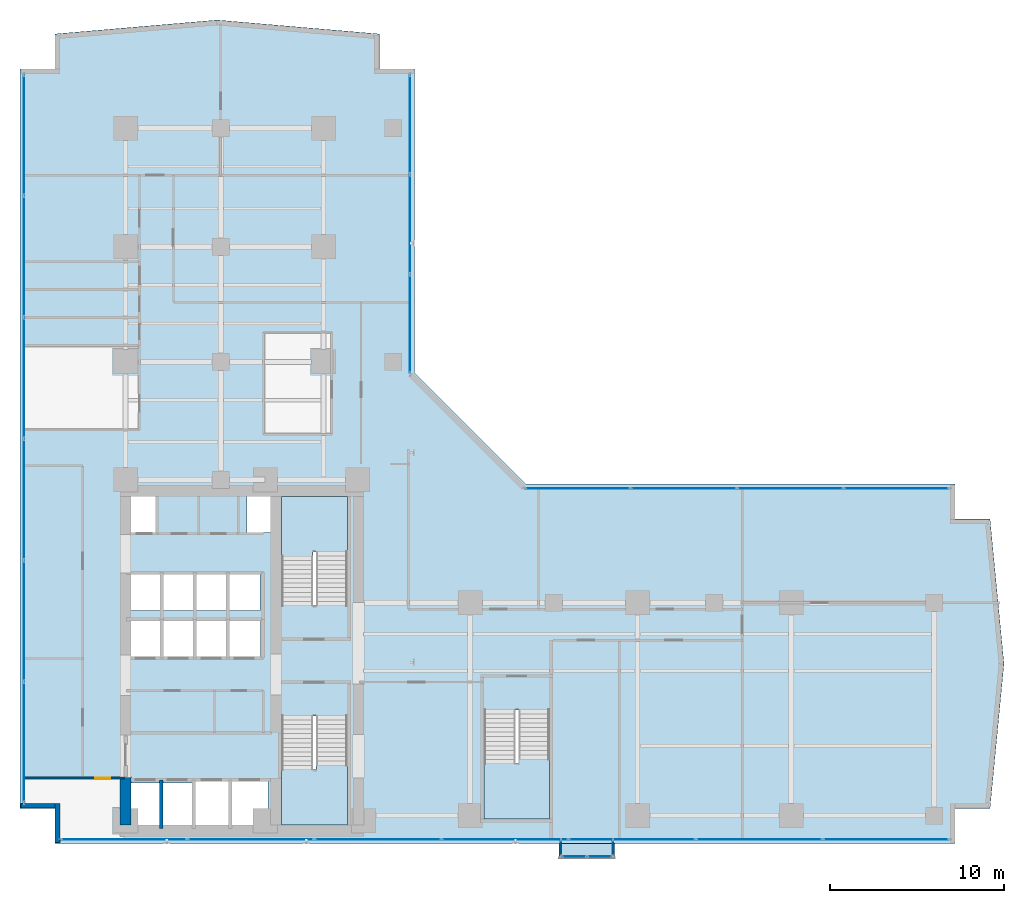
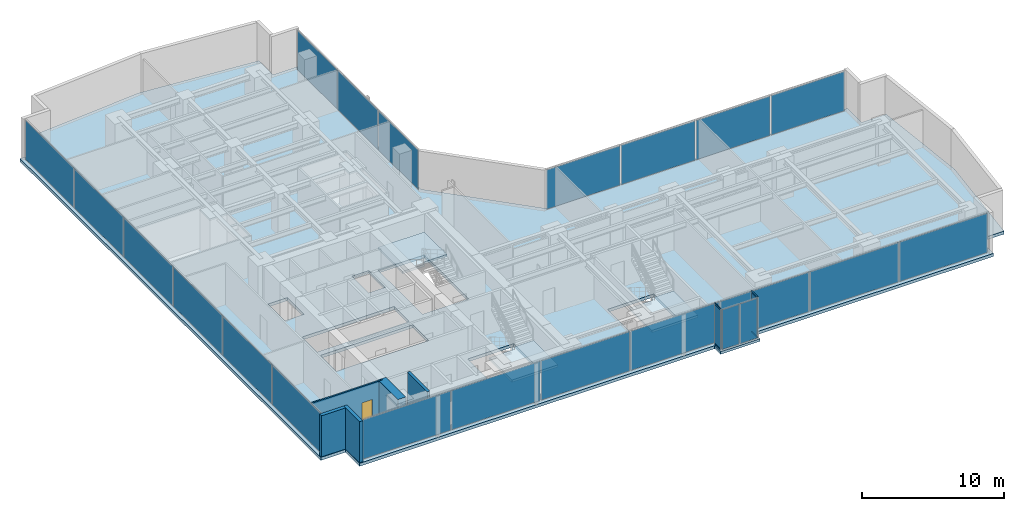
# One storey, part 20 of 29: 24 plates, 5 slabs, 5 walls, 4 members, 1 door, 1 opening, 10 elements without a shape of their own.
"""IFC4 building model written with IfcOpenShell, lengths in metres."""

from ifc_helpers import new_model, si_unit, direction, frame, frame_2d, origin, origin_with_axes, origin_2d, place, context, subcontext, project, spatial, polyline, rectangle, hollow_rectangle, outline, extrude, source, transform, mapped, material, layer, layer_set, material_profile, profile_set, type_object, element, fill, aggregate, save


model = new_model("IFC4")

# Units and contexts
model_context = context("Model", 3, precision=1e-05, world=origin(), true_north=direction((0.0, 1.0)))
body_context = subcontext(model_context, "Body", "Model", "MODEL_VIEW")
ifc_project = project(units=[si_unit("LENGTHUNIT", "METRE"), si_unit("AREAUNIT", "SQUARE_METRE"), si_unit("VOLUMEUNIT", "CUBIC_METRE"), si_unit("PLANEANGLEUNIT", "RADIAN"), si_unit("MASSUNIT", "GRAM", prefix="KILO")], contexts=[model_context])

# Site, building, storey
site_placement = place(None, origin())
site = spatial("IfcSite", under=ifc_project, at=site_placement, CompositionType="ELEMENT")
building_placement = place(site_placement, origin())
building = spatial("IfcBuilding", under=site, at=building_placement, Name="Kolvaren Waterfront Exchange", CompositionType="ELEMENT")
storey_placement = place(building_placement, frame((0.0, 0.0, 129.699951171875)))
storey = spatial("IfcBuildingStorey", under=building, at=storey_placement, Name="L33", CompositionType="ELEMENT", Elevation=129.699951171875)

# Curtain wall, members
ifc_material_1 = material(Name="Anodised bronze aluminium 6063-T6", Category="aluminium")
ifc_layer_1 = layer(ifc_material_1, 0.219970703125, Name="Anodised bronze aluminium 6063-T6")
ifc_layer_set_1 = layer_set([ifc_layer_1], Name="Anodised bronze aluminium 6063-T6")
curtain_wall_type_1 = type_object("IfcCurtainWallType", Name="ARC-CW-SYS3", PredefinedType="USERDEFINED", material=ifc_layer_set_1)
curtain_wall_1_placement = place(storey_placement, origin())
curtain_wall_1 = element("IfcCurtainWall", 1, at=curtain_wall_1_placement, inside=storey, type_object=curtain_wall_type_1, Name="L33 stick curtain wall CW3 (CW-L33-BOX-W)", ObjectType="STICK CURTAIN WALL", PredefinedType="USERDEFINED")
ifc_material_profile = material_profile(ifc_material_1, hollow_rectangle(XDim=0.06494140625, YDim=0.1298828125, WallThickness=0.00390625, at=origin_2d()), Name="ALU-TRN-130x65x4")
ifc_profile_set = profile_set([ifc_material_profile], Name="Anodised bronze aluminium 6063-T6")
member_type = type_object("IfcMemberType", Name="ARC-CWT-130", PredefinedType="USERDEFINED", material=ifc_profile_set)
shared_shape_1 = source(origin_with_axes(), body_context, "Body", "SweptSolid", [
    extrude(hollow_rectangle(XDim=0.06494140625, YDim=0.1298828125, WallThickness=0.00390625, at=origin_2d()), origin(), (0.0, 0.0, 1.0), 0.829833984375),
])
member_1_placement = place(storey_placement, frame((32.409912109375, 3.764892578125, 0.032470703125), z_axis=(0.0, -1.0, 0.0), x_axis=(1.0, 0.0, 0.0)))
member_1 = element("IfcMember", 2, at=member_1_placement, type_object=member_type, Name="CW3 transom 1.1", ObjectType="TRANSOM", PredefinedType="USERDEFINED", context=body_context, shape_type="MappedRepresentation", body=[
    mapped(shared_shape_1, transform((0.0, 0.0, 0.0), x_axis=(1.0, 0.0, 0.0), y_axis=(0.0, 1.0, 0.0), z_axis=(0.0, 0.0, 1.0), scale=1.0)),
])
member_2_placement = place(storey_placement, frame((32.409912109375, 3.764892578125, 3.507568359375), z_axis=(0.0, -1.0, 0.0), x_axis=(1.0, 0.0, 0.0)))
member_2 = element("IfcMember", 3, at=member_2_placement, type_object=member_type, Name="CW3 transom 1.2", ObjectType="TRANSOM", PredefinedType="USERDEFINED", context=body_context, shape_type="MappedRepresentation", body=[
    mapped(shared_shape_1, transform((0.0, 0.0, 0.0), x_axis=(1.0, 0.0, 0.0), y_axis=(0.0, 1.0, 0.0), z_axis=(0.0, 0.0, 1.0), scale=1.0)),
])

curtain_wall_2_placement = place(storey_placement, origin())
curtain_wall_2 = element("IfcCurtainWall", 4, at=curtain_wall_2_placement, inside=storey, type_object=curtain_wall_type_1, Name="L33 stick curtain wall CW3 (CW-L33-BOX-E)", ObjectType="STICK CURTAIN WALL", PredefinedType="USERDEFINED")
member_3_placement = place(storey_placement, frame((35.389892578125, 2.93505859375, 0.032470703125), z_axis=(0.0, 1.0, 0.0), x_axis=(-1.0, 0.0, 0.0)))
member_3 = element("IfcMember", 5, at=member_3_placement, type_object=member_type, Name="CW3 transom 1.1", ObjectType="TRANSOM", PredefinedType="USERDEFINED", context=body_context, shape_type="MappedRepresentation", body=[
    mapped(shared_shape_1, transform((0.0, 0.0, 0.0), x_axis=(1.0, 0.0, 0.0), y_axis=(0.0, 1.0, 0.0), z_axis=(0.0, 0.0, 1.0), scale=1.0)),
])
member_4_placement = place(storey_placement, frame((35.389892578125, 2.93505859375, 3.507568359375), z_axis=(0.0, 1.0, 0.0), x_axis=(-1.0, 0.0, 0.0)))
member_4 = element("IfcMember", 6, at=member_4_placement, type_object=member_type, Name="CW3 transom 1.2", ObjectType="TRANSOM", PredefinedType="USERDEFINED", context=body_context, shape_type="MappedRepresentation", body=[
    mapped(shared_shape_1, transform((0.0, 0.0, 0.0), x_axis=(1.0, 0.0, 0.0), y_axis=(0.0, 1.0, 0.0), z_axis=(0.0, 0.0, 1.0), scale=1.0)),
])

# Stair, slab
ifc_material_2 = material(Name="Concrete C40/50", Category="concrete")
stair_type = type_object("IfcStairType", Name="ARC-STAIR-3800", PredefinedType="HALF_TURN_STAIR", material=ifc_material_2)
stair_1_placement = place(storey_placement, origin())
stair_1 = element("IfcStair", 7, at=stair_1_placement, inside=storey, type_object=stair_type, Name="L33 Smoke-proof exit stair ST1", PredefinedType="HALF_TURN_STAIR")
ifc_layer_2 = layer(ifc_material_2, 0.199951171875, Name="Concrete C40/50")
ifc_layer_set_2 = layer_set([ifc_layer_2], Name="Concrete C40/50")
slab_type_1 = type_object("IfcSlabType", Name="STR-LANDING-200", PredefinedType="LANDING", material=ifc_layer_set_2)
slab_1_placement = place(storey_placement, frame((0.0, 0.0, 1.776123046875)))
slab_1 = element("IfcSlab", 8, at=slab_1_placement, type_object=slab_type_1, Name="ST1 landing 1", PredefinedType="LANDING", context=body_context, shape_type="SweptSolid", body=[
    extrude(outline(polyline([(16.39990234375, 7.840087890625), (16.39990234375, 4.64990234375), (20.159912109375, 4.64990234375), (20.159912109375, 8.10009765625), (18.360107421875, 8.10009765625), (18.360107421875, 7.840087890625), (16.39990234375, 7.840087890625)])), origin(), (0.0, 0.0, 1.0), 0.199951171875),
])
aggregate(stair_1, [slab_1])

stair_2_placement = place(storey_placement, origin())
stair_2 = element("IfcStair", 9, at=stair_2_placement, inside=storey, type_object=stair_type, Name="L33 Smoke-proof exit stair ST2", PredefinedType="HALF_TURN_STAIR")
slab_2_placement = place(storey_placement, frame((0.0, 0.0, 1.776123046875)))
slab_2 = element("IfcSlab", 10, at=slab_2_placement, type_object=slab_type_1, Name="ST2 landing 1", PredefinedType="LANDING", context=body_context, shape_type="SweptSolid", body=[
    extrude(outline(polyline([(20.159912109375, 20.31005859375), (20.159912109375, 23.5), (16.39990234375, 23.5), (16.39990234375, 20.050048828125), (18.199951171875, 20.050048828125), (18.199951171875, 20.31005859375), (20.159912109375, 20.31005859375)])), origin(), (0.0, 0.0, 1.0), 0.199951171875),
])
aggregate(stair_2, [slab_2])

stair_3_placement = place(storey_placement, origin())
stair_3 = element("IfcStair", 11, at=stair_3_placement, inside=storey, type_object=stair_type, Name="L33 Exit stair ST3", PredefinedType="HALF_TURN_STAIR")
slab_3_placement = place(storey_placement, frame((0.0, 0.0, 1.776123046875)))
slab_3 = element("IfcSlab", 12, at=slab_3_placement, type_object=slab_type_1, Name="ST3 landing 1", PredefinedType="LANDING", context=body_context, shape_type="SweptSolid", body=[
    extrude(outline(polyline([(28.0, 8.18994140625), (28.0, 5.0), (31.760009765625, 5.0), (31.760009765625, 8.449951171875), (29.9599609375, 8.449951171875), (29.9599609375, 8.18994140625), (28.0, 8.18994140625)])), origin(), (0.0, 0.0, 1.0), 0.199951171875),
])
aggregate(stair_3, [slab_3])

# Slabs
ifc_layer_3 = layer(ifc_material_2, 0.260009765625, Name="Concrete C40/50")
ifc_layer_set_3 = layer_set([ifc_layer_3], Name="Concrete C40/50")
slab_type_2 = type_object("IfcSlabType", Name="STR-SLAB-260", PredefinedType="FLOOR", material=ifc_layer_set_3)
slab_4_placement = place(storey_placement, frame((0.0, 0.0, -0.260009765625)))
element("IfcSlab", 13, at=slab_4_placement, inside=storey, type_object=slab_type_2, Name="L33 structural floor slab", PredefinedType="FLOOR", context=body_context, shape_type="SweptSolid", body=[
    extrude(outline(polyline([(3.39990234375, 3.60009765625), (55.0, 3.60009765625), (55.0, 5.60009765625), (57.0, 5.60009765625), (57.800048828125, 13.89990234375), (57.0, 22.199951171875), (55.0, 22.199951171875), (55.0, 24.199951171875), (30.39990234375, 24.199951171875), (24.0, 30.60009765625), (24.0, 48.0), (22.0, 48.0), (22.0, 50.0), (12.699951171875, 50.800048828125), (3.39990234375, 50.0), (3.39990234375, 48.0), (1.39990234375, 48.0), (1.39990234375, 5.60009765625), (3.39990234375, 5.60009765625), (3.39990234375, 3.60009765625)]), holes=[polyline([(11.320068359375, 7.260009765625), (15.610107421875, 7.260009765625), (15.610107421875, 4.5400390625), (7.719970703125, 4.5400390625), (7.719970703125, 7.06005859375), (11.320068359375, 7.06005859375), (11.320068359375, 7.260009765625)]), polyline([(20.159912109375, 10.89990234375), (20.159912109375, 4.64990234375), (16.39990234375, 4.64990234375), (16.39990234375, 10.89990234375), (20.159912109375, 10.89990234375)]), polyline([(31.760009765625, 11.25), (31.760009765625, 5.0), (28.0, 5.0), (28.0, 11.25), (31.760009765625, 11.25)]), polyline([(15.18505859375, 14.239990234375), (7.64501953125, 14.239990234375), (7.64501953125, 16.4599609375), (15.18505859375, 16.4599609375), (15.18505859375, 14.239990234375)]), polyline([(15.159912109375, 16.93994140625), (7.669921875, 16.93994140625), (7.669921875, 19.06005859375), (15.159912109375, 19.06005859375), (15.159912109375, 16.93994140625)]), polyline([(16.39990234375, 23.5), (20.159912109375, 23.5), (20.159912109375, 17.25), (16.39990234375, 17.25), (16.39990234375, 23.5)]), polyline([(7.60009765625, 23.780029296875), (9.179931640625, 23.780029296875), (9.179931640625, 21.419921875), (7.60009765625, 21.419921875), (7.60009765625, 23.780029296875)]), polyline([(15.800048828125, 23.780029296875), (15.800048828125, 21.419921875), (14.419921875, 21.419921875), (14.419921875, 23.780029296875), (15.800048828125, 23.780029296875)])]), origin(), (0.0, 0.0, 1.0), 0.260009765625),
])
ifc_layer_4 = layer(ifc_material_2, 0.219970703125, Name="Concrete C40/50")
ifc_layer_set_4 = layer_set([ifc_layer_4], Name="Concrete C40/50")
slab_type_3 = type_object("IfcSlabType", Name="STR-TERR-220", PredefinedType="FLOOR", material=ifc_layer_set_4)
slab_5_placement = place(storey_placement, frame((0.0, 0.0, -0.219970703125)))
element("IfcSlab", 14, at=slab_5_placement, inside=storey, type_object=slab_type_3, Name="L33 projecting bay-box floor strip", PredefinedType="FLOOR", context=body_context, shape_type="SweptSolid", body=[
    extrude(outline(polyline([(32.300048828125, 2.75), (35.5, 2.75), (35.5, 3.60009765625), (32.300048828125, 3.60009765625), (32.300048828125, 2.75)])), origin(), (0.0, 0.0, 1.0), 0.219970703125),
])

# Plate
ifc_material_3 = material(Name="Bronze tinted bay-box vision glass", Category="aluminium")
ifc_layer_5 = layer(ifc_material_3, 0.02392578125, Name="Bronze tinted bay-box vision glass")
ifc_layer_set_5 = layer_set([ifc_layer_5], Name="Bronze tinted bay-box vision glass")
plate_type_1 = type_object("IfcPlateType", Name="ARC-CWP-24", PredefinedType="CURTAIN_PANEL", material=ifc_layer_set_5)
shared_shape_2 = source(origin_with_axes(), body_context, "Body", "SweptSolid", [
    extrude(rectangle(XDim=0.830078125, YDim=0.02392578125, at=origin_2d()), origin(), (0.0, 0.0, 1.0), 3.409912109375),
])
plate_1_placement = place(storey_placement, frame((32.409912109375, 3.35009765625, 0.06494140625), z_axis=(0.0, 0.0, 1.0), x_axis=(0.0, -1.0, 0.0)))
plate_1 = element("IfcPlate", 15, at=plate_1_placement, type_object=plate_type_1, Name="CW3 panel 1.1", PredefinedType="CURTAIN_PANEL", context=body_context, shape_type="MappedRepresentation", body=[
    mapped(shared_shape_2, transform((0.0, 0.0, 0.0), x_axis=(1.0, 0.0, 0.0), y_axis=(0.0, 1.0, 0.0), z_axis=(0.0, 0.0, 1.0), scale=1.0)),
])

aggregate(curtain_wall_1, [member_1, member_2, plate_1])

plate_2_placement = place(storey_placement, frame((35.389892578125, 3.35009765625, 0.06494140625), z_axis=(0.0, 0.0, 1.0), x_axis=(0.0, 1.0, 0.0)))
plate_2 = element("IfcPlate", 16, at=plate_2_placement, type_object=plate_type_1, Name="CW3 panel 1.1", PredefinedType="CURTAIN_PANEL", context=body_context, shape_type="MappedRepresentation", body=[
    mapped(shared_shape_2, transform((0.0, 0.0, 0.0), x_axis=(1.0, 0.0, 0.0), y_axis=(0.0, 1.0, 0.0), z_axis=(0.0, 0.0, 1.0), scale=1.0)),
])

aggregate(curtain_wall_2, [member_3, member_4, plate_2])

# Curtain wall, plates
curtain_wall_3_placement = place(storey_placement, origin())
curtain_wall_3 = element("IfcCurtainWall", 17, at=curtain_wall_3_placement, inside=storey, type_object=curtain_wall_type_1, Name="L33 stick curtain wall CW3 (CW-L33-BOX)", ObjectType="STICK CURTAIN WALL", PredefinedType="USERDEFINED")
shared_shape_3 = source(origin_with_axes(), body_context, "Body", "SweptSolid", [
    extrude(rectangle(XDim=1.37744140625, YDim=0.02392578125, at=origin_2d()), origin(), (0.0, 0.0, 1.0), 3.409912109375),
])
plate_3_placement = place(storey_placement, frame((33.173828125, 2.860107421875, 0.06494140625), z_axis=(0.0, 0.0, 1.0), x_axis=(1.0, 0.0, 0.0)))
plate_3 = element("IfcPlate", 18, at=plate_3_placement, type_object=plate_type_1, Name="CW3 panel 1.1", PredefinedType="CURTAIN_PANEL", context=body_context, shape_type="MappedRepresentation", body=[
    mapped(shared_shape_3, transform((0.0, 0.0, 0.0), x_axis=(1.0, 0.0, 0.0), y_axis=(0.0, 1.0, 0.0), z_axis=(0.0, 0.0, 1.0), scale=1.0)),
])
plate_4_placement = place(storey_placement, frame((34.626220703125, 2.860107421875, 0.06494140625), z_axis=(0.0, 0.0, 1.0), x_axis=(1.0, 0.0, 0.0)))
plate_4 = element("IfcPlate", 19, at=plate_4_placement, type_object=plate_type_1, Name="CW3 panel 2.1", PredefinedType="CURTAIN_PANEL", context=body_context, shape_type="MappedRepresentation", body=[
    mapped(shared_shape_3, transform((0.0, 0.0, 0.0), x_axis=(1.0, 0.0, 0.0), y_axis=(0.0, 1.0, 0.0), z_axis=(0.0, 0.0, 1.0), scale=1.0)),
])
aggregate(curtain_wall_3, [plate_3, plate_4])

ifc_material_4 = material(Name="Anodised aluminium 6063-T6", Category="aluminium")
ifc_layer_6 = layer(ifc_material_4, 0.219970703125, Name="Anodised aluminium 6063-T6")
ifc_layer_set_6 = layer_set([ifc_layer_6], Name="Anodised aluminium 6063-T6")
curtain_wall_type_2 = type_object("IfcCurtainWallType", Name="ARC-CW-SYS2", PredefinedType="USERDEFINED", material=ifc_layer_set_6)
curtain_wall_4_placement = place(storey_placement, origin())
curtain_wall_4 = element("IfcCurtainWall", 20, at=curtain_wall_4_placement, inside=storey, type_object=curtain_wall_type_2, Name="L33 stick curtain wall CW2 (CW-L33-W)", ObjectType="STICK CURTAIN WALL", PredefinedType="USERDEFINED")
ifc_material_5 = material(Name="Acoustic laminated vision glass", Category="glass")
ifc_layer_7 = layer(ifc_material_5, 0.031982421875, Name="Acoustic laminated vision glass")
ifc_layer_set_7 = layer_set([ifc_layer_7], Name="Acoustic laminated vision glass")
plate_type_2 = type_object("IfcPlateType", Name="ARC-CWP-32", PredefinedType="CURTAIN_PANEL", material=ifc_layer_set_7)
shared_shape_4 = source(origin_with_axes(), body_context, "Body", "SweptSolid", [
    extrude(rectangle(XDim=6.8466796875, YDim=0.031982421875, at=origin_2d()), origin(), (0.0, 0.0, 1.0), 3.389892578125),
])
plate_5_placement = place(storey_placement, frame((1.639892578125, 9.4033203125, 0.0751953125), z_axis=(0.0, 0.0, 1.0), x_axis=(0.0, 1.0, 0.0)))
plate_5 = element("IfcPlate", 21, at=plate_5_placement, type_object=plate_type_2, Name="CW2 panel 1.1", PredefinedType="CURTAIN_PANEL", context=body_context, shape_type="MappedRepresentation", body=[
    mapped(shared_shape_4, transform((0.0, 0.0, 0.0), x_axis=(1.0, 0.0, 0.0), y_axis=(0.0, 1.0, 0.0), z_axis=(0.0, 0.0, 1.0), scale=1.0)),
])
plate_6_placement = place(storey_placement, frame((1.639892578125, 44.19677734375, 0.0751953125), z_axis=(0.0, 0.0, 1.0), x_axis=(0.0, 1.0, 0.0)))
plate_6 = element("IfcPlate", 22, at=plate_6_placement, type_object=plate_type_2, Name="CW2 panel 6.1", PredefinedType="CURTAIN_PANEL", context=body_context, shape_type="MappedRepresentation", body=[
    mapped(shared_shape_4, transform((0.0, 0.0, 0.0), x_axis=(1.0, 0.0, 0.0), y_axis=(0.0, 1.0, 0.0), z_axis=(0.0, 0.0, 1.0), scale=1.0)),
])
shared_shape_5 = source(origin_with_axes(), body_context, "Body", "SweptSolid", [
    extrude(rectangle(XDim=6.88671875, YDim=0.031982421875, at=origin_2d()), origin(), (0.0, 0.0, 1.0), 3.389892578125),
])
plate_7_placement = place(storey_placement, frame((1.639892578125, 16.35009765625, 0.0751953125), z_axis=(0.0, 0.0, 1.0), x_axis=(0.0, 1.0, 0.0)))
plate_7 = element("IfcPlate", 23, at=plate_7_placement, type_object=plate_type_2, Name="CW2 panel 2.1", PredefinedType="CURTAIN_PANEL", context=body_context, shape_type="MappedRepresentation", body=[
    mapped(shared_shape_5, transform((0.0, 0.0, 0.0), x_axis=(1.0, 0.0, 0.0), y_axis=(0.0, 1.0, 0.0), z_axis=(0.0, 0.0, 1.0), scale=1.0)),
])
plate_8_placement = place(storey_placement, frame((1.639892578125, 23.316650390625, 0.0751953125), z_axis=(0.0, 0.0, 1.0), x_axis=(0.0, 1.0, 0.0)))
plate_8 = element("IfcPlate", 24, at=plate_8_placement, type_object=plate_type_2, Name="CW2 panel 3.1", PredefinedType="CURTAIN_PANEL", context=body_context, shape_type="MappedRepresentation", body=[
    mapped(shared_shape_5, transform((0.0, 0.0, 0.0), x_axis=(1.0, 0.0, 0.0), y_axis=(0.0, 1.0, 0.0), z_axis=(0.0, 0.0, 1.0), scale=1.0)),
])
plate_9_placement = place(storey_placement, frame((1.639892578125, 30.283447265625, 0.0751953125), z_axis=(0.0, 0.0, 1.0), x_axis=(0.0, 1.0, 0.0)))
plate_9 = element("IfcPlate", 25, at=plate_9_placement, type_object=plate_type_2, Name="CW2 panel 4.1", PredefinedType="CURTAIN_PANEL", context=body_context, shape_type="MappedRepresentation", body=[
    mapped(shared_shape_5, transform((0.0, 0.0, 0.0), x_axis=(1.0, 0.0, 0.0), y_axis=(0.0, 1.0, 0.0), z_axis=(0.0, 0.0, 1.0), scale=1.0)),
])
plate_10_placement = place(storey_placement, frame((1.639892578125, 37.25, 0.0751953125), z_axis=(0.0, 0.0, 1.0), x_axis=(0.0, 1.0, 0.0)))
plate_10 = element("IfcPlate", 26, at=plate_10_placement, type_object=plate_type_2, Name="CW2 panel 5.1", PredefinedType="CURTAIN_PANEL", context=body_context, shape_type="MappedRepresentation", body=[
    mapped(shared_shape_5, transform((0.0, 0.0, 0.0), x_axis=(1.0, 0.0, 0.0), y_axis=(0.0, 1.0, 0.0), z_axis=(0.0, 0.0, 1.0), scale=1.0)),
])
aggregate(curtain_wall_4, [plate_5, plate_7, plate_8, plate_9, plate_10, plate_6])

ifc_layer_8 = layer(ifc_material_1, 0.219970703125, Name="Anodised bronze aluminium 6063-T6")
ifc_layer_set_8 = layer_set([ifc_layer_8], Name="Anodised bronze aluminium 6063-T6")
curtain_wall_type_3 = type_object("IfcCurtainWallType", Name="ARC-CW-SYS1", PredefinedType="USERDEFINED", material=ifc_layer_set_8)
curtain_wall_5_placement = place(storey_placement, origin())
curtain_wall_5 = element("IfcCurtainWall", 27, at=curtain_wall_5_placement, inside=storey, type_object=curtain_wall_type_3, Name="L33 stick curtain wall CW1 (CW-L33-NE)", ObjectType="STICK CURTAIN WALL", PredefinedType="USERDEFINED")
ifc_material_6 = material(Name="Bronze solar control vision glass", Category="aluminium")
ifc_layer_9 = layer(ifc_material_6, 0.028076171875, Name="Bronze solar control vision glass")
ifc_layer_set_9 = layer_set([ifc_layer_9], Name="Bronze solar control vision glass")
plate_type_3 = type_object("IfcPlateType", Name="ARC-CWP-28", PredefinedType="CURTAIN_PANEL", material=ifc_layer_set_9)
shared_shape_6 = source(origin_with_axes(), body_context, "Body", "SweptSolid", [
    extrude(rectangle(XDim=5.61669921875, YDim=0.028076171875, at=origin_2d()), origin(), (0.0, 0.0, 1.0), 3.389892578125),
])
plate_11_placement = place(storey_placement, frame((23.760009765625, 33.37841796875, 0.0751953125), z_axis=(0.0, 0.0, 1.0), x_axis=(0.0, 1.0, 0.0)))
plate_11 = element("IfcPlate", 28, at=plate_11_placement, type_object=plate_type_3, Name="CW1 panel 1.1", PredefinedType="CURTAIN_PANEL", context=body_context, shape_type="MappedRepresentation", body=[
    mapped(shared_shape_6, transform((0.0, 0.0, 0.0), x_axis=(1.0, 0.0, 0.0), y_axis=(0.0, 1.0, 0.0), z_axis=(0.0, 0.0, 1.0), scale=1.0)),
])
plate_12_placement = place(storey_placement, frame((23.760009765625, 44.811767578125, 0.0751953125), z_axis=(0.0, 0.0, 1.0), x_axis=(0.0, 1.0, 0.0)))
plate_12 = element("IfcPlate", 29, at=plate_12_placement, type_object=plate_type_3, Name="CW1 panel 3.1", PredefinedType="CURTAIN_PANEL", context=body_context, shape_type="MappedRepresentation", body=[
    mapped(shared_shape_6, transform((0.0, 0.0, 0.0), x_axis=(1.0, 0.0, 0.0), y_axis=(0.0, 1.0, 0.0), z_axis=(0.0, 0.0, 1.0), scale=1.0)),
])
shared_shape_7 = source(origin_with_axes(), body_context, "Body", "SweptSolid", [
    extrude(rectangle(XDim=5.65673828125, YDim=0.028076171875, at=origin_2d()), origin(), (0.0, 0.0, 1.0), 3.389892578125),
])
plate_13_placement = place(storey_placement, frame((23.760009765625, 39.094970703125, 0.0751953125), z_axis=(0.0, 0.0, 1.0), x_axis=(0.0, 1.0, 0.0)))
plate_13 = element("IfcPlate", 30, at=plate_13_placement, type_object=plate_type_3, Name="CW1 panel 2.1", PredefinedType="CURTAIN_PANEL", context=body_context, shape_type="MappedRepresentation", body=[
    mapped(shared_shape_7, transform((0.0, 0.0, 0.0), x_axis=(1.0, 0.0, 0.0), y_axis=(0.0, 1.0, 0.0), z_axis=(0.0, 0.0, 1.0), scale=1.0)),
])
aggregate(curtain_wall_5, [plate_11, plate_13, plate_12])

curtain_wall_6_placement = place(storey_placement, origin())
curtain_wall_6 = element("IfcCurtainWall", 31, at=curtain_wall_6_placement, inside=storey, type_object=curtain_wall_type_3, Name="L33 stick curtain wall CW1 (CW-L33-EN)", ObjectType="STICK CURTAIN WALL", PredefinedType="USERDEFINED")
shared_shape_8 = source(origin_with_axes(), body_context, "Body", "SweptSolid", [
    extrude(rectangle(XDim=5.982421875, YDim=0.028076171875, at=origin_2d()), origin(), (0.0, 0.0, 1.0), 3.389892578125),
])
plate_14_placement = place(storey_placement, frame((33.361328125, 23.9599609375, 0.0751953125), z_axis=(0.0, 0.0, 1.0), x_axis=(1.0, 0.0, 0.0)))
plate_14 = element("IfcPlate", 32, at=plate_14_placement, type_object=plate_type_3, Name="CW1 panel 1.1", PredefinedType="CURTAIN_PANEL", context=body_context, shape_type="MappedRepresentation", body=[
    mapped(shared_shape_8, transform((0.0, 0.0, 0.0), x_axis=(1.0, 0.0, 0.0), y_axis=(0.0, 1.0, 0.0), z_axis=(0.0, 0.0, 1.0), scale=1.0)),
])
plate_15_placement = place(storey_placement, frame((51.628662109375, 23.9599609375, 0.0751953125), z_axis=(0.0, 0.0, 1.0), x_axis=(1.0, 0.0, 0.0)))
plate_15 = element("IfcPlate", 33, at=plate_15_placement, type_object=plate_type_3, Name="CW1 panel 4.1", PredefinedType="CURTAIN_PANEL", context=body_context, shape_type="MappedRepresentation", body=[
    mapped(shared_shape_8, transform((0.0, 0.0, 0.0), x_axis=(1.0, 0.0, 0.0), y_axis=(0.0, 1.0, 0.0), z_axis=(0.0, 0.0, 1.0), scale=1.0)),
])
shared_shape_9 = source(origin_with_axes(), body_context, "Body", "SweptSolid", [
    extrude(rectangle(XDim=6.0224609375, YDim=0.028076171875, at=origin_2d()), origin(), (0.0, 0.0, 1.0), 3.389892578125),
])
plate_16_placement = place(storey_placement, frame((39.44384765625, 23.9599609375, 0.0751953125), z_axis=(0.0, 0.0, 1.0), x_axis=(1.0, 0.0, 0.0)))
plate_16 = element("IfcPlate", 34, at=plate_16_placement, type_object=plate_type_3, Name="CW1 panel 2.1", PredefinedType="CURTAIN_PANEL", context=body_context, shape_type="MappedRepresentation", body=[
    mapped(shared_shape_9, transform((0.0, 0.0, 0.0), x_axis=(1.0, 0.0, 0.0), y_axis=(0.0, 1.0, 0.0), z_axis=(0.0, 0.0, 1.0), scale=1.0)),
])
plate_17_placement = place(storey_placement, frame((45.546142578125, 23.9599609375, 0.0751953125), z_axis=(0.0, 0.0, 1.0), x_axis=(1.0, 0.0, 0.0)))
plate_17 = element("IfcPlate", 35, at=plate_17_placement, type_object=plate_type_3, Name="CW1 panel 3.1", PredefinedType="CURTAIN_PANEL", context=body_context, shape_type="MappedRepresentation", body=[
    mapped(shared_shape_9, transform((0.0, 0.0, 0.0), x_axis=(1.0, 0.0, 0.0), y_axis=(0.0, 1.0, 0.0), z_axis=(0.0, 0.0, 1.0), scale=1.0)),
])
aggregate(curtain_wall_6, [plate_14, plate_16, plate_17, plate_15])

curtain_wall_7_placement = place(storey_placement, origin())
curtain_wall_7 = element("IfcCurtainWall", 36, at=curtain_wall_7_placement, inside=storey, type_object=curtain_wall_type_3, Name="L33 stick curtain wall CW1 (CW-L33-S)", ObjectType="STICK CURTAIN WALL", PredefinedType="USERDEFINED")
shared_shape_10 = source(origin_with_axes(), body_context, "Body", "SweptSolid", [
    extrude(rectangle(XDim=7.165771484375, YDim=0.028076171875, at=origin_2d()), origin(), (0.0, 0.0, 1.0), 3.389892578125),
])
plate_18_placement = place(storey_placement, frame((7.36279296875, 3.840087890625, 0.0751953125), z_axis=(0.0, 0.0, 1.0), x_axis=(1.0, 0.0, 0.0)))
plate_18 = element("IfcPlate", 37, at=plate_18_placement, type_object=plate_type_3, Name="CW1 panel 1.1", PredefinedType="CURTAIN_PANEL", context=body_context, shape_type="MappedRepresentation", body=[
    mapped(shared_shape_10, transform((0.0, 0.0, 0.0), x_axis=(1.0, 0.0, 0.0), y_axis=(0.0, 1.0, 0.0), z_axis=(0.0, 0.0, 1.0), scale=1.0)),
])
plate_19_placement = place(storey_placement, frame((51.037109375, 3.840087890625, 0.0751953125), z_axis=(0.0, 0.0, 1.0), x_axis=(1.0, 0.0, 0.0)))
plate_19 = element("IfcPlate", 38, at=plate_19_placement, type_object=plate_type_3, Name="CW1 panel 7.1", PredefinedType="CURTAIN_PANEL", context=body_context, shape_type="MappedRepresentation", body=[
    mapped(shared_shape_10, transform((0.0, 0.0, 0.0), x_axis=(1.0, 0.0, 0.0), y_axis=(0.0, 1.0, 0.0), z_axis=(0.0, 0.0, 1.0), scale=1.0)),
])
shared_shape_11 = source(origin_with_axes(), body_context, "Body", "SweptSolid", [
    extrude(rectangle(XDim=7.205810546875, YDim=0.028076171875, at=origin_2d()), origin(), (0.0, 0.0, 1.0), 3.389892578125),
])
plate_20_placement = place(storey_placement, frame((14.628662109375, 3.840087890625, 0.0751953125), z_axis=(0.0, 0.0, 1.0), x_axis=(1.0, 0.0, 0.0)))
plate_20 = element("IfcPlate", 39, at=plate_20_placement, type_object=plate_type_3, Name="CW1 panel 2.1", PredefinedType="CURTAIN_PANEL", context=body_context, shape_type="MappedRepresentation", body=[
    mapped(shared_shape_11, transform((0.0, 0.0, 0.0), x_axis=(1.0, 0.0, 0.0), y_axis=(0.0, 1.0, 0.0), z_axis=(0.0, 0.0, 1.0), scale=1.0)),
])
plate_21_placement = place(storey_placement, frame((21.914306640625, 3.840087890625, 0.0751953125), z_axis=(0.0, 0.0, 1.0), x_axis=(1.0, 0.0, 0.0)))
plate_21 = element("IfcPlate", 40, at=plate_21_placement, type_object=plate_type_3, Name="CW1 panel 3.1", PredefinedType="CURTAIN_PANEL", context=body_context, shape_type="MappedRepresentation", body=[
    mapped(shared_shape_11, transform((0.0, 0.0, 0.0), x_axis=(1.0, 0.0, 0.0), y_axis=(0.0, 1.0, 0.0), z_axis=(0.0, 0.0, 1.0), scale=1.0)),
])
plate_22_placement = place(storey_placement, frame((29.199951171875, 3.840087890625, 0.0751953125), z_axis=(0.0, 0.0, 1.0), x_axis=(1.0, 0.0, 0.0)))
plate_22 = element("IfcPlate", 41, at=plate_22_placement, type_object=plate_type_3, Name="CW1 panel 4.1", PredefinedType="CURTAIN_PANEL", context=body_context, shape_type="MappedRepresentation", body=[
    mapped(shared_shape_11, transform((0.0, 0.0, 0.0), x_axis=(1.0, 0.0, 0.0), y_axis=(0.0, 1.0, 0.0), z_axis=(0.0, 0.0, 1.0), scale=1.0)),
])
plate_23_placement = place(storey_placement, frame((36.485595703125, 3.840087890625, 0.0751953125), z_axis=(0.0, 0.0, 1.0), x_axis=(1.0, 0.0, 0.0)))
plate_23 = element("IfcPlate", 42, at=plate_23_placement, type_object=plate_type_3, Name="CW1 panel 5.1", PredefinedType="CURTAIN_PANEL", context=body_context, shape_type="MappedRepresentation", body=[
    mapped(shared_shape_11, transform((0.0, 0.0, 0.0), x_axis=(1.0, 0.0, 0.0), y_axis=(0.0, 1.0, 0.0), z_axis=(0.0, 0.0, 1.0), scale=1.0)),
])
plate_24_placement = place(storey_placement, frame((43.771484375, 3.840087890625, 0.0751953125), z_axis=(0.0, 0.0, 1.0), x_axis=(1.0, 0.0, 0.0)))
plate_24 = element("IfcPlate", 43, at=plate_24_placement, type_object=plate_type_3, Name="CW1 panel 6.1", PredefinedType="CURTAIN_PANEL", context=body_context, shape_type="MappedRepresentation", body=[
    mapped(shared_shape_11, transform((0.0, 0.0, 0.0), x_axis=(1.0, 0.0, 0.0), y_axis=(0.0, 1.0, 0.0), z_axis=(0.0, 0.0, 1.0), scale=1.0)),
])
aggregate(curtain_wall_7, [plate_18, plate_20, plate_21, plate_22, plate_23, plate_24, plate_19])

# Walls
ifc_material_7 = material(Name="Precast concrete C40/50", Category="concrete")
ifc_layer_10 = layer(ifc_material_7, 0.280029296875, Name="Precast concrete C40/50")
ifc_layer_set_10 = layer_set([ifc_layer_10], Name="Precast concrete C40/50")
wall_type_1 = type_object("IfcWallType", Name="ARC-EXT-TERR-280", PredefinedType="SOLIDWALL", material=ifc_layer_set_10)
wall_1_placement = place(storey_placement, frame((3.56005859375, 3.659912109375, 0.0), z_axis=(0.0, 0.0, 1.0), x_axis=(0.0, 1.0, 0.0)))
element("IfcWall", 44, at=wall_1_placement, inside=storey, type_object=wall_type_1, Name="L33 notched corner spandrel pier SW-A", PredefinedType="SOLIDWALL", context=body_context, shape_type="SweptSolid", body=[
    extrude(rectangle(XDim=2.239990234375, YDim=0.280029296875, at=frame_2d((1.1201171875, 0.0))), origin(), (0.0, 0.0, 1.0), 3.5400390625),
])
wall_2_placement = place(storey_placement, frame((1.4599609375, 5.760009765625, 0.0), z_axis=(0.0, 0.0, 1.0), x_axis=(1.0, 0.0, 0.0)))
element("IfcWall", 45, at=wall_2_placement, inside=storey, type_object=wall_type_1, Name="L33 notched corner spandrel pier SW-B", PredefinedType="SOLIDWALL", context=body_context, shape_type="SweptSolid", body=[
    extrude(rectangle(XDim=1.9599609375, YDim=0.280029296875, at=frame_2d((0.97998046875, 0.0))), origin(), (0.0, 0.0, 1.0), 3.5400390625),
])

# Wall, opening, door
ifc_material_8 = material(Name="Acoustic gypsum steel stud", Category="steel")
ifc_layer_11 = layer(ifc_material_8, 0.125, Name="Acoustic gypsum steel stud")
ifc_layer_set_11 = layer_set([ifc_layer_11], Name="Acoustic gypsum steel stud")
wall_type_2 = type_object("IfcWallType", Name="ARC-PART-125", PredefinedType="PARTITIONING", material=ifc_layer_set_11)
wall_3_placement = place(storey_placement, frame((1.639892578125, 7.35009765625, 0.0), z_axis=(0.0, 0.0, 1.0), x_axis=(1.0, 0.0, 0.0)))
wall_3 = element("IfcWall", 46, at=wall_3_placement, inside=storey, type_object=wall_type_2, Name="L33 interior wall PW-L33-SWC-N", PredefinedType="PARTITIONING", context=body_context, shape_type="SweptSolid", body=[
    extrude(rectangle(XDim=5.760009765625, YDim=0.125, at=frame_2d((2.8798828125, 0.0))), origin(), (0.0, 0.0, 1.0), 3.5400390625),
])
opening_placement = place(wall_3_placement, frame((4.086669921875, 0.0, 0.0)))
opening = element("IfcOpeningElement", 47, at=opening_placement, cuts=wall_3, Name="Opening D01", PredefinedType="OPENING", context=body_context, shape_type="SweptSolid", body=[
    extrude(rectangle(XDim=0.85009765625, YDim=2.14990234375, at=frame_2d((0.425048828125, 1.074951171875))), frame((0.0, 0.072509765625, 0.0), z_axis=(0.0, -1.0, 0.0), x_axis=(1.0, 0.0, 0.0)), (0.0, 0.0, 1.0), 0.14501953125),
])
ifc_material_9 = material(Name="Oak veneer timber leaf", Category="wood")
door_type = type_object("IfcDoorType", Name="ARC-DR-900", OperationType="NOTDEFINED", PredefinedType="DOOR", material=ifc_material_9)
door_placement = place(opening_placement, origin())
door = element("IfcDoor", 48, at=door_placement, inside=storey, type_object=door_type, Name="L33 door DR-L33-SWC-D (D01)", OperationType="SINGLE_SWING_LEFT", OverallHeight=2.14990234375, OverallWidth=0.85009765625, PredefinedType="DOOR", context=body_context, shape_type="SweptSolid", body=[
    extrude(rectangle(XDim=0.85009765625, YDim=2.14990234375, at=frame_2d((0.425048828125, 1.074951171875))), frame((0.0, 0.02490234375, 0.0), z_axis=(0.0, -1.0, 0.0), x_axis=(1.0, 0.0, 0.0)), (0.0, 0.0, 1.0), 0.050048828125),
])
fill(opening, door)

# Walls
ifc_layer_12 = layer(ifc_material_2, 0.199951171875, Name="Concrete C40/50")
ifc_layer_set_12 = layer_set([ifc_layer_12], Name="Concrete C40/50")
wall_type_3 = type_object("IfcWallType", Name="ARC-SHAFT-200", PredefinedType="PARTITIONING", material=ifc_layer_set_12)
wall_4_placement = place(storey_placement, frame((9.5, 4.449951171875, 0.0), z_axis=(0.0, 0.0, 1.0), x_axis=(0.0, 1.0, 0.0)))
element("IfcWall", 49, at=wall_4_placement, inside=storey, type_object=wall_type_3, Name="L33 interior wall PW-L33-SH1-DIV-95", PredefinedType="PARTITIONING", context=body_context, shape_type="SweptSolid", body=[
    extrude(rectangle(XDim=2.800048828125, YDim=0.199951171875, at=frame_2d((1.39990234375, 0.0))), origin(), (0.0, 0.0, 1.0), 3.5400390625),
])
ifc_material_10 = material(Name="Concrete C60/75", Category="concrete")
ifc_layer_13 = layer(ifc_material_10, 0.64990234375, Name="Concrete C60/75")
ifc_layer_set_13 = layer_set([ifc_layer_13], Name="Concrete C60/75")
wall_type_4 = type_object("IfcWallType", Name="STR-CWALL-650", PredefinedType="SHEAR", material=ifc_layer_set_13)
wall_5_placement = place(storey_placement, frame((7.449951171875, 4.64990234375, 0.0), z_axis=(0.0, 0.0, 1.0), x_axis=(0.0, 1.0, 0.0)))
element("IfcWall", 50, at=wall_5_placement, inside=storey, type_object=wall_type_4, Name="L33 rear-core shear wall W1", PredefinedType="SHEAR", context=body_context, shape_type="SweptSolid", body=[
    extrude(rectangle(XDim=2.800048828125, YDim=0.64990234375, at=frame_2d((1.39990234375, 0.0))), origin(), (0.0, 0.0, 1.0), 3.5400390625),
])

save(model, "model.ifc")
